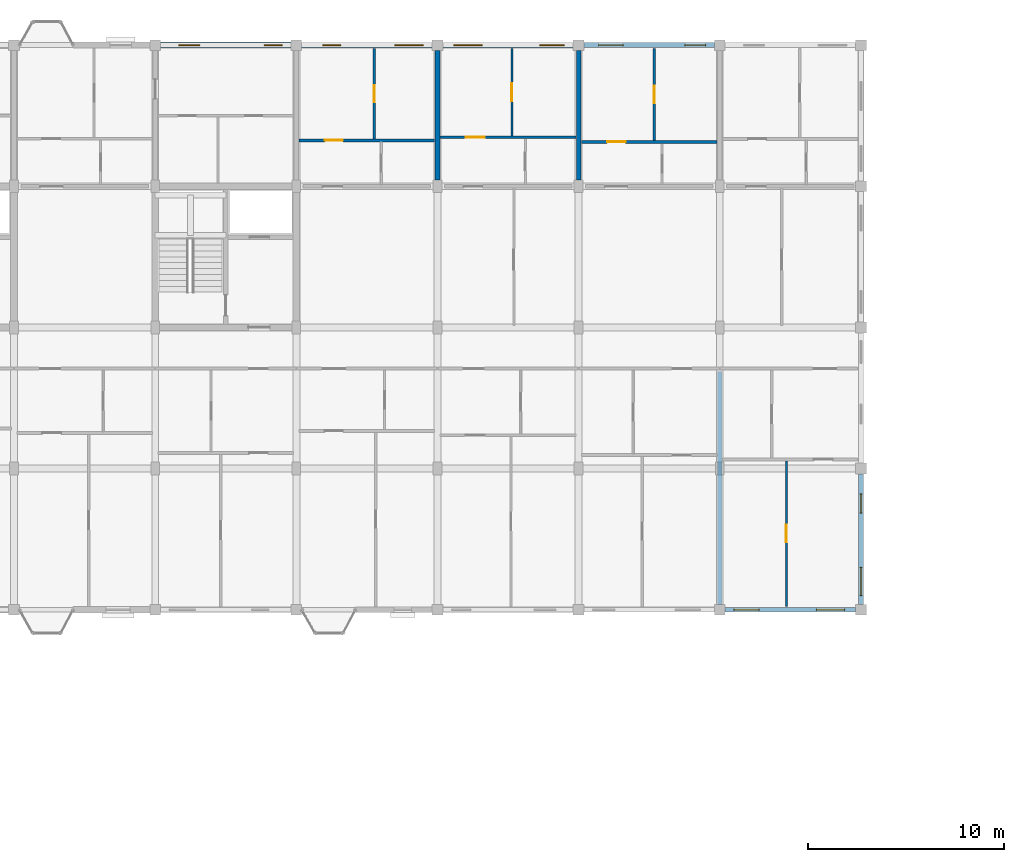
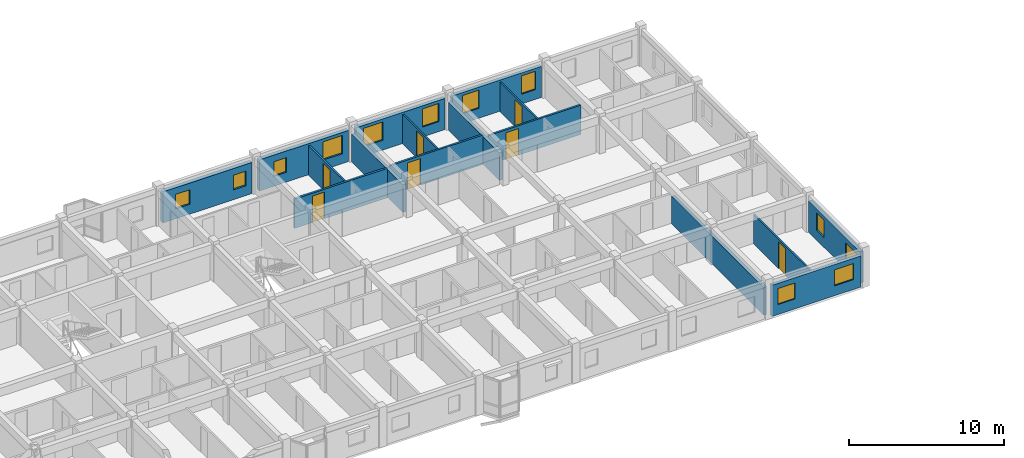
# One storey, part 70 of 77: 16 walls, 12 windows, 7 doors, 19 openings.
"""IFC4 building model written with IfcOpenShell, lengths in metres."""

from ifc_helpers import new_model, si_unit, direction, frame, frame_2d, origin, place, context, subcontext, project, spatial, rectangle, extrude, material, layer, layer_set, type_object, element, fill, save


model = new_model("IFC4")

# Units and contexts
model_context = context("Model", 3, precision=1e-05, world=origin(), true_north=direction((0.0, 1.0)))
body_context = subcontext(model_context, "Body", "Model", "MODEL_VIEW")
ifc_project = project(units=[si_unit("LENGTHUNIT", "METRE"), si_unit("AREAUNIT", "SQUARE_METRE"), si_unit("VOLUMEUNIT", "CUBIC_METRE"), si_unit("PLANEANGLEUNIT", "RADIAN"), si_unit("MASSUNIT", "GRAM", prefix="KILO"), si_unit("THERMODYNAMICTEMPERATUREUNIT", "KELVIN"), si_unit("POWERUNIT", "WATT")], contexts=[model_context])

# Site, building, storey
site_placement = place(None, origin())
site = spatial("IfcSite", under=ifc_project, at=site_placement, CompositionType="ELEMENT")
building_placement = place(site_placement, origin())
building = spatial("IfcBuilding", under=site, at=building_placement, Name="Tavuni Mirador Residences", CompositionType="ELEMENT")
storey_placement = place(building_placement, frame((0.0, 0.0, 17.10009765625)))
storey = spatial("IfcBuildingStorey", under=building, at=storey_placement, Name="L05", CompositionType="ELEMENT", Elevation=17.10009765625)

# Wall, openings, windows
ifc_material_1 = material(Name="Sgraffito lime-rendered precast concrete C40/50", Category="concrete")
ifc_layer_1 = layer(ifc_material_1, 0.2451171875, Name="Sgraffito lime-rendered precast concrete C40/50", Category="concrete")
ifc_layer_set_1 = layer_set([ifc_layer_1], Name="Sgraffito lime-rendered precast concrete C40/50")
wall_type_1 = type_object("IfcWallType", Name="WT-EXT-PC245", PredefinedType="SOLIDWALL", material=ifc_layer_set_1)
wall_1_placement = place(storey_placement, frame((68.675048828125, 144.0, 0.0), z_axis=(0.0, 0.0, 1.0), x_axis=(1.0, 0.0, 0.0)))
wall_1 = element("IfcWall", 1, at=wall_1_placement, inside=storey, type_object=wall_type_1, Name="EW-BLK-C-L05-S08", PredefinedType="SOLIDWALL", context=body_context, shape_type="SweptSolid", body=[
    extrude(rectangle(XDim=6.64990234375, YDim=0.2451171875, at=frame_2d((3.324951171875, 0.0))), origin(), (0.0, 0.0, 1.0), 2.454833984375),
])
opening_1_placement = place(wall_1_placement, frame((0.449951171875, 0.0, 0.780029296875)))
opening_1 = element("IfcOpeningElement", 2, at=opening_1_placement, cuts=wall_1, Name="Opening WN-14", PredefinedType="OPENING", context=body_context, shape_type="SweptSolid", body=[
    extrude(rectangle(XDim=1.280029296875, YDim=1.260009765625, at=frame_2d((0.64013671875, 0.6298828125))), frame((0.0, 0.132568359375, 0.0), z_axis=(0.0, -1.0, 0.0), x_axis=(1.0, 0.0, 0.0)), (0.0, 0.0, 1.0), 0.26513671875),
])
opening_2_placement = place(wall_1_placement, frame((4.64990234375, 0.0, 0.780029296875)))
opening_2 = element("IfcOpeningElement", 3, at=opening_2_placement, cuts=wall_1, Name="Opening WN-16", PredefinedType="OPENING", context=body_context, shape_type="SweptSolid", body=[
    extrude(rectangle(XDim=1.43994140625, YDim=1.260009765625, at=frame_2d((0.719970703125, 0.6298828125))), frame((0.0, 0.132568359375, 0.0), z_axis=(0.0, -1.0, 0.0), x_axis=(1.0, 0.0, 0.0)), (0.0, 0.0, 1.0), 0.26513671875),
])
ifc_material_2 = material(Name="Laminated solar-control glass", Category="glass")
window_type_1 = type_object("IfcWindowType", Name="WNT-14", PartitioningType="SINGLE_PANEL", PredefinedType="WINDOW", material=ifc_material_2)
window_1_placement = place(opening_1_placement, origin())
window_1 = element("IfcWindow", 4, at=window_1_placement, inside=storey, type_object=window_type_1, Name="WIN-1058", OverallHeight=1.260009765625, OverallWidth=1.280029296875, PartitioningType="SINGLE_PANEL", PredefinedType="WINDOW", context=body_context, shape_type="SweptSolid", body=[
    extrude(rectangle(XDim=1.280029296875, YDim=1.260009765625, at=frame_2d((0.64013671875, 0.6298828125))), frame((0.0, 0.030029296875, 0.0), z_axis=(0.0, -1.0, 0.0), x_axis=(1.0, 0.0, 0.0)), (0.0, 0.0, 1.0), 0.06005859375),
])
fill(opening_1, window_1)
window_type_2 = type_object("IfcWindowType", Name="WNT-16", PartitioningType="SINGLE_PANEL", PredefinedType="WINDOW", material=ifc_material_2)
window_2_placement = place(opening_2_placement, origin())
window_2 = element("IfcWindow", 5, at=window_2_placement, inside=storey, type_object=window_type_2, Name="WIN-1059", OverallHeight=1.260009765625, OverallWidth=1.43994140625, PartitioningType="SINGLE_PANEL", PredefinedType="WINDOW", context=body_context, shape_type="SweptSolid", body=[
    extrude(rectangle(XDim=1.43994140625, YDim=1.260009765625, at=frame_2d((0.719970703125, 0.6298828125))), frame((0.0, 0.030029296875, 0.0), z_axis=(0.0, -1.0, 0.0), x_axis=(1.0, 0.0, 0.0)), (0.0, 0.0, 1.0), 0.06005859375),
])
fill(opening_2, window_2)

ifc_layer_2 = layer(ifc_material_1, 0.2548828125, Name="Sgraffito lime-rendered precast concrete C40/50", Category="concrete")
ifc_layer_set_2 = layer_set([ifc_layer_2], Name="Sgraffito lime-rendered precast concrete C40/50")
wall_type_2 = type_object("IfcWallType", Name="WT-EXT-PC255", PredefinedType="SOLIDWALL", material=ifc_layer_set_2)
wall_2_placement = place(storey_placement, frame((75.60009765625, 144.27490234375, 0.0), z_axis=(0.0, 0.0, 1.0), x_axis=(0.0, 1.0, 0.0)))
wall_2 = element("IfcWall", 6, at=wall_2_placement, inside=storey, type_object=wall_type_2, Name="EW-BLK-C-L05-E00", PredefinedType="SOLIDWALL", context=body_context, shape_type="SweptSolid", body=[
    extrude(rectangle(XDim=6.650146484375, YDim=0.2548828125, at=frame_2d((3.3251953125, 0.0))), origin(), (0.0, 0.0, 1.0), 2.454833984375),
])
opening_3_placement = place(wall_2_placement, frame((0.449951171875, 0.0, 0.780029296875)))
opening_3 = element("IfcOpeningElement", 7, at=opening_3_placement, cuts=wall_2, Name="Opening WN-16", PredefinedType="OPENING", context=body_context, shape_type="SweptSolid", body=[
    extrude(rectangle(XDim=1.43994140625, YDim=1.260009765625, at=frame_2d((0.719970703125, 0.6298828125))), frame((0.0, 0.137451171875, 0.0), z_axis=(0.0, -1.0, 0.0), x_axis=(1.0, 0.0, 0.0)), (0.0, 0.0, 1.0), 0.27490234375),
])
opening_4_placement = place(wall_2_placement, frame((4.64990234375, 0.0, 0.780029296875)))
opening_4 = element("IfcOpeningElement", 8, at=opening_4_placement, cuts=wall_2, Name="Opening WN-18", PredefinedType="OPENING", context=body_context, shape_type="SweptSolid", body=[
    extrude(rectangle(XDim=0.97998046875, YDim=1.360107421875, at=frame_2d((0.489990234375, 0.68017578125))), frame((0.0, 0.137451171875, 0.0), z_axis=(0.0, -1.0, 0.0), x_axis=(1.0, 0.0, 0.0)), (0.0, 0.0, 1.0), 0.27490234375),
])
window_3_placement = place(opening_3_placement, origin())
window_3 = element("IfcWindow", 9, at=window_3_placement, inside=storey, type_object=window_type_2, Name="WIN-1060", OverallHeight=1.260009765625, OverallWidth=1.43994140625, PartitioningType="SINGLE_PANEL", PredefinedType="WINDOW", context=body_context, shape_type="SweptSolid", body=[
    extrude(rectangle(XDim=1.43994140625, YDim=1.260009765625, at=frame_2d((0.719970703125, 0.6298828125))), frame((0.0, 0.030029296875, 0.0), z_axis=(0.0, -1.0, 0.0), x_axis=(1.0, 0.0, 0.0)), (0.0, 0.0, 1.0), 0.06005859375),
])
fill(opening_3, window_3)
window_type_3 = type_object("IfcWindowType", Name="WNT-18", PartitioningType="SINGLE_PANEL", PredefinedType="WINDOW", material=ifc_material_2)
window_4_placement = place(opening_4_placement, origin())
window_4 = element("IfcWindow", 10, at=window_4_placement, inside=storey, type_object=window_type_3, Name="WIN-1061", OverallHeight=1.360107421875, OverallWidth=0.97998046875, PartitioningType="SINGLE_PANEL", PredefinedType="WINDOW", context=body_context, shape_type="SweptSolid", body=[
    extrude(rectangle(XDim=0.97998046875, YDim=1.360107421875, at=frame_2d((0.489990234375, 0.68017578125))), frame((0.0, 0.030029296875, 0.0), z_axis=(0.0, -1.0, 0.0), x_axis=(1.0, 0.0, 0.0)), (0.0, 0.0, 1.0), 0.06005859375),
])
fill(opening_4, window_4)

wall_3_placement = place(storey_placement, frame((68.125, 172.800048828125, 0.0), z_axis=(0.0, 0.0, 1.0), x_axis=(-1.0, 0.0, 0.0)))
wall_3 = element("IfcWall", 11, at=wall_3_placement, inside=storey, type_object=wall_type_2, Name="EW-BLK-C-L05-N07", PredefinedType="SOLIDWALL", context=body_context, shape_type="SweptSolid", body=[
    extrude(rectangle(XDim=6.64990234375, YDim=0.2548828125, at=frame_2d((3.324951171875, 0.0))), origin(), (0.0, 0.0, 1.0), 2.454833984375),
])
opening_5_placement = place(wall_3_placement, frame((0.449951171875, 0.0, 0.780029296875)))
opening_5 = element("IfcOpeningElement", 12, at=opening_5_placement, cuts=wall_3, Name="Opening WN-26", PredefinedType="OPENING", context=body_context, shape_type="SweptSolid", body=[
    extrude(rectangle(XDim=1.050048828125, YDim=1.43994140625, at=frame_2d((0.52490234375, 0.719970703125))), frame((0.0, 0.137451171875, 0.0), z_axis=(0.0, -1.0, 0.0), x_axis=(1.0, 0.0, 0.0)), (0.0, 0.0, 1.0), 0.27490234375),
])
opening_6_placement = place(wall_3_placement, frame((4.64990234375, 0.0, 0.780029296875)))
opening_6 = element("IfcOpeningElement", 13, at=opening_6_placement, cuts=wall_3, Name="Opening WN-28", PredefinedType="OPENING", context=body_context, shape_type="SweptSolid", body=[
    extrude(rectangle(XDim=1.25, YDim=1.43994140625, at=frame_2d((0.625, 0.719970703125))), frame((0.0, 0.137451171875, 0.0), z_axis=(0.0, -1.0, 0.0), x_axis=(1.0, 0.0, 0.0)), (0.0, 0.0, 1.0), 0.27490234375),
])
window_type_4 = type_object("IfcWindowType", Name="WNT-26", PartitioningType="SINGLE_PANEL", PredefinedType="WINDOW", material=ifc_material_2)
window_5_placement = place(opening_5_placement, origin())
window_5 = element("IfcWindow", 14, at=window_5_placement, inside=storey, type_object=window_type_4, Name="WIN-1070", OverallHeight=1.43994140625, OverallWidth=1.050048828125, PartitioningType="SINGLE_PANEL", PredefinedType="WINDOW", context=body_context, shape_type="SweptSolid", body=[
    extrude(rectangle(XDim=1.050048828125, YDim=1.43994140625, at=frame_2d((0.52490234375, 0.719970703125))), frame((0.0, 0.030029296875, 0.0), z_axis=(0.0, -1.0, 0.0), x_axis=(1.0, 0.0, 0.0)), (0.0, 0.0, 1.0), 0.06005859375),
])
fill(opening_5, window_5)
window_type_5 = type_object("IfcWindowType", Name="WNT-28", PartitioningType="SINGLE_PANEL", PredefinedType="WINDOW", material=ifc_material_2)
window_6_placement = place(opening_6_placement, origin())
window_6 = element("IfcWindow", 15, at=window_6_placement, inside=storey, type_object=window_type_5, Name="WIN-1071", OverallHeight=1.43994140625, OverallWidth=1.25, PartitioningType="SINGLE_PANEL", PredefinedType="WINDOW", context=body_context, shape_type="SweptSolid", body=[
    extrude(rectangle(XDim=1.25, YDim=1.43994140625, at=frame_2d((0.625, 0.719970703125))), frame((0.0, 0.030029296875, 0.0), z_axis=(0.0, -1.0, 0.0), x_axis=(1.0, 0.0, 0.0)), (0.0, 0.0, 1.0), 0.06005859375),
])
fill(opening_6, window_6)

ifc_layer_3 = layer(ifc_material_1, 0.27490234375, Name="Sgraffito lime-rendered precast concrete C40/50", Category="concrete")
ifc_layer_set_3 = layer_set([ifc_layer_3], Name="Sgraffito lime-rendered precast concrete C40/50")
wall_type_3 = type_object("IfcWallType", Name="WT-EXT-PC275", PredefinedType="SOLIDWALL", material=ifc_layer_set_3)
wall_4_placement = place(storey_placement, frame((60.925048828125, 172.800048828125, 0.0), z_axis=(0.0, 0.0, 1.0), x_axis=(-1.0, 0.0, 0.0)))
wall_4 = element("IfcWall", 16, at=wall_4_placement, inside=storey, type_object=wall_type_3, Name="EW-BLK-C-L05-N06", PredefinedType="SOLIDWALL", context=body_context, shape_type="SweptSolid", body=[
    extrude(rectangle(XDim=6.650146484375, YDim=0.27490234375, at=frame_2d((3.3251953125, 0.0))), origin(), (0.0, 0.0, 1.0), 2.454833984375),
])
opening_7_placement = place(wall_4_placement, frame((0.449951171875, 0.0, 0.780029296875)))
opening_7 = element("IfcOpeningElement", 17, at=opening_7_placement, cuts=wall_4, Name="Opening WN-28", PredefinedType="OPENING", context=body_context, shape_type="SweptSolid", body=[
    extrude(rectangle(XDim=1.25, YDim=1.43994140625, at=frame_2d((0.625, 0.719970703125))), frame((0.0, 0.1474609375, 0.0), z_axis=(0.0, -1.0, 0.0), x_axis=(1.0, 0.0, 0.0)), (0.0, 0.0, 1.0), 0.294921875),
])
opening_8_placement = place(wall_4_placement, frame((4.64990234375, 0.0, 0.780029296875)))
opening_8 = element("IfcOpeningElement", 18, at=opening_8_placement, cuts=wall_4, Name="Opening WN-30", PredefinedType="OPENING", context=body_context, shape_type="SweptSolid", body=[
    extrude(rectangle(XDim=1.449951171875, YDim=1.43994140625, at=frame_2d((0.72509765625, 0.719970703125))), frame((0.0, 0.1474609375, 0.0), z_axis=(0.0, -1.0, 0.0), x_axis=(1.0, 0.0, 0.0)), (0.0, 0.0, 1.0), 0.294921875),
])
window_7_placement = place(opening_7_placement, origin())
window_7 = element("IfcWindow", 19, at=window_7_placement, inside=storey, type_object=window_type_5, Name="WIN-1072", OverallHeight=1.43994140625, OverallWidth=1.25, PartitioningType="SINGLE_PANEL", PredefinedType="WINDOW", context=body_context, shape_type="SweptSolid", body=[
    extrude(rectangle(XDim=1.25, YDim=1.43994140625, at=frame_2d((0.625, 0.719970703125))), frame((0.0, 0.030029296875, 0.0), z_axis=(0.0, -1.0, 0.0), x_axis=(1.0, 0.0, 0.0)), (0.0, 0.0, 1.0), 0.06005859375),
])
fill(opening_7, window_7)
window_type_6 = type_object("IfcWindowType", Name="WNT-30", PartitioningType="SINGLE_PANEL", PredefinedType="WINDOW", material=ifc_material_2)
window_8_placement = place(opening_8_placement, origin())
window_8 = element("IfcWindow", 20, at=window_8_placement, inside=storey, type_object=window_type_6, Name="WIN-1073", OverallHeight=1.43994140625, OverallWidth=1.449951171875, PartitioningType="SINGLE_PANEL", PredefinedType="WINDOW", context=body_context, shape_type="SweptSolid", body=[
    extrude(rectangle(XDim=1.449951171875, YDim=1.43994140625, at=frame_2d((0.72509765625, 0.719970703125))), frame((0.0, 0.030029296875, 0.0), z_axis=(0.0, -1.0, 0.0), x_axis=(1.0, 0.0, 0.0)), (0.0, 0.0, 1.0), 0.06005859375),
])
fill(opening_8, window_8)

ifc_layer_4 = layer(ifc_material_1, 0.2900390625, Name="Sgraffito lime-rendered precast concrete C40/50", Category="concrete")
ifc_layer_set_4 = layer_set([ifc_layer_4], Name="Sgraffito lime-rendered precast concrete C40/50")
wall_type_4 = type_object("IfcWallType", Name="WT-EXT-PC290", PredefinedType="SOLIDWALL", material=ifc_layer_set_4)
wall_5_placement = place(storey_placement, frame((53.72509765625, 172.800048828125, 0.0), z_axis=(0.0, 0.0, 1.0), x_axis=(-1.0, 0.0, 0.0)))
wall_5 = element("IfcWall", 21, at=wall_5_placement, inside=storey, type_object=wall_type_4, Name="EW-BLK-C-L05-N05", PredefinedType="SOLIDWALL", context=body_context, shape_type="SweptSolid", body=[
    extrude(rectangle(XDim=6.650146484375, YDim=0.2900390625, at=frame_2d((3.3251953125, 0.0))), origin(), (0.0, 0.0, 1.0), 2.454833984375),
])
opening_9_placement = place(wall_5_placement, frame((0.449951171875, 0.0, 0.780029296875)))
opening_9 = element("IfcOpeningElement", 22, at=opening_9_placement, cuts=wall_5, Name="Opening WN-30", PredefinedType="OPENING", context=body_context, shape_type="SweptSolid", body=[
    extrude(rectangle(XDim=1.449951171875, YDim=1.43994140625, at=frame_2d((0.72509765625, 0.719970703125))), frame((0.0, 0.155029296875, 0.0), z_axis=(0.0, -1.0, 0.0), x_axis=(1.0, 0.0, 0.0)), (0.0, 0.0, 1.0), 0.31005859375),
])
opening_10_placement = place(wall_5_placement, frame((4.64990234375, 0.0, 0.780029296875)))
opening_10 = element("IfcOpeningElement", 23, at=opening_10_placement, cuts=wall_5, Name="Opening WN-02", PredefinedType="OPENING", context=body_context, shape_type="SweptSolid", body=[
    extrude(rectangle(XDim=0.919921875, YDim=1.14990234375, at=frame_2d((0.4599609375, 0.574951171875))), frame((0.0, 0.155029296875, 0.0), z_axis=(0.0, -1.0, 0.0), x_axis=(1.0, 0.0, 0.0)), (0.0, 0.0, 1.0), 0.31005859375),
])
window_type_7 = type_object("IfcWindowType", Name="WNT-02", PartitioningType="SINGLE_PANEL", PredefinedType="WINDOW", material=ifc_material_2)
window_9_placement = place(opening_10_placement, origin())
window_9 = element("IfcWindow", 24, at=window_9_placement, inside=storey, type_object=window_type_7, Name="WIN-1075", OverallHeight=1.14990234375, OverallWidth=0.919921875, PartitioningType="SINGLE_PANEL", PredefinedType="WINDOW", context=body_context, shape_type="SweptSolid", body=[
    extrude(rectangle(XDim=0.919921875, YDim=1.14990234375, at=frame_2d((0.4599609375, 0.574951171875))), frame((0.0, 0.030029296875, 0.0), z_axis=(0.0, -1.0, 0.0), x_axis=(1.0, 0.0, 0.0)), (0.0, 0.0, 1.0), 0.06005859375),
])
fill(opening_10, window_9)
window_10_placement = place(opening_9_placement, origin())
window_10 = element("IfcWindow", 25, at=window_10_placement, inside=storey, type_object=window_type_6, Name="WIN-1074", OverallHeight=1.43994140625, OverallWidth=1.449951171875, PartitioningType="SINGLE_PANEL", PredefinedType="WINDOW", context=body_context, shape_type="SweptSolid", body=[
    extrude(rectangle(XDim=1.449951171875, YDim=1.43994140625, at=frame_2d((0.72509765625, 0.719970703125))), frame((0.0, 0.030029296875, 0.0), z_axis=(0.0, -1.0, 0.0), x_axis=(1.0, 0.0, 0.0)), (0.0, 0.0, 1.0), 0.06005859375),
])
fill(opening_9, window_10)

ifc_layer_5 = layer(ifc_material_1, 0.304931640625, Name="Sgraffito lime-rendered precast concrete C40/50", Category="concrete")
ifc_layer_set_5 = layer_set([ifc_layer_5], Name="Sgraffito lime-rendered precast concrete C40/50")
wall_type_5 = type_object("IfcWallType", Name="WT-EXT-PC305", PredefinedType="SOLIDWALL", material=ifc_layer_set_5)
wall_6_placement = place(storey_placement, frame((46.52490234375, 172.800048828125, 0.0), z_axis=(0.0, 0.0, 1.0), x_axis=(-1.0, 0.0, 0.0)))
wall_6 = element("IfcWall", 26, at=wall_6_placement, inside=storey, type_object=wall_type_5, Name="EW-BLK-C-L05-N04", PredefinedType="SOLIDWALL", context=body_context, shape_type="SweptSolid", body=[
    extrude(rectangle(XDim=6.64990234375, YDim=0.304931640625, at=frame_2d((3.324951171875, 0.0))), origin(), (0.0, 0.0, 1.0), 2.454833984375),
])
opening_11_placement = place(wall_6_placement, frame((0.449951171875, 0.0, 0.780029296875)))
opening_11 = element("IfcOpeningElement", 27, at=opening_11_placement, cuts=wall_6, Name="Opening WN-02", PredefinedType="OPENING", context=body_context, shape_type="SweptSolid", body=[
    extrude(rectangle(XDim=0.919921875, YDim=1.14990234375, at=frame_2d((0.4599609375, 0.574951171875))), frame((0.0, 0.16259765625, 0.0), z_axis=(0.0, -1.0, 0.0), x_axis=(1.0, 0.0, 0.0)), (0.0, 0.0, 1.0), 0.324951171875),
])
opening_12_placement = place(wall_6_placement, frame((4.64990234375, 0.0, 0.780029296875)))
opening_12 = element("IfcOpeningElement", 28, at=opening_12_placement, cuts=wall_6, Name="Opening WN-04", PredefinedType="OPENING", context=body_context, shape_type="SweptSolid", body=[
    extrude(rectangle(XDim=1.080078125, YDim=1.14990234375, at=frame_2d((0.5400390625, 0.574951171875))), frame((0.0, 0.16259765625, 0.0), z_axis=(0.0, -1.0, 0.0), x_axis=(1.0, 0.0, 0.0)), (0.0, 0.0, 1.0), 0.324951171875),
])
window_11_placement = place(opening_11_placement, origin())
window_11 = element("IfcWindow", 29, at=window_11_placement, inside=storey, type_object=window_type_7, Name="WIN-1076", OverallHeight=1.14990234375, OverallWidth=0.919921875, PartitioningType="SINGLE_PANEL", PredefinedType="WINDOW", context=body_context, shape_type="SweptSolid", body=[
    extrude(rectangle(XDim=0.919921875, YDim=1.14990234375, at=frame_2d((0.4599609375, 0.574951171875))), frame((0.0, 0.030029296875, 0.0), z_axis=(0.0, -1.0, 0.0), x_axis=(1.0, 0.0, 0.0)), (0.0, 0.0, 1.0), 0.06005859375),
])
fill(opening_11, window_11)
window_type_8 = type_object("IfcWindowType", Name="WNT-04", PartitioningType="SINGLE_PANEL", PredefinedType="WINDOW", material=ifc_material_2)
window_12_placement = place(opening_12_placement, origin())
window_12 = element("IfcWindow", 30, at=window_12_placement, inside=storey, type_object=window_type_8, Name="WIN-1077", OverallHeight=1.14990234375, OverallWidth=1.080078125, PartitioningType="SINGLE_PANEL", PredefinedType="WINDOW", context=body_context, shape_type="SweptSolid", body=[
    extrude(rectangle(XDim=1.080078125, YDim=1.14990234375, at=frame_2d((0.5400390625, 0.574951171875))), frame((0.0, 0.030029296875, 0.0), z_axis=(0.0, -1.0, 0.0), x_axis=(1.0, 0.0, 0.0)), (0.0, 0.0, 1.0), 0.06005859375),
])
fill(opening_12, window_12)

# Wall, opening, door
ifc_material_3 = material(Name="Acoustic gypsum and concrete block partition", Category="concrete")
ifc_layer_6 = layer(ifc_material_3, 0.114990234375, Name="Acoustic gypsum and concrete block partition", Category="concrete")
ifc_layer_set_6 = layer_set([ifc_layer_6], Name="Acoustic gypsum and concrete block partition")
wall_type_6 = type_object("IfcWallType", Name="WT-PART115", PredefinedType="PARTITIONING", material=ifc_layer_set_6)
wall_7_placement = place(storey_placement, frame((57.800048828125, 168.169921875, 0.0), z_axis=(0.0, 0.0, 1.0), x_axis=(0.0, 1.0, 0.0)))
wall_7 = element("IfcWall", 31, at=wall_7_placement, inside=storey, type_object=wall_type_6, Name="PW-BLK-C-L05-N06-OUT", PredefinedType="PARTITIONING", context=body_context, shape_type="SweptSolid", body=[
    extrude(rectangle(XDim=4.455078125, YDim=0.114990234375, at=frame_2d((2.2275390625, 0.0))), origin(), (0.0, 0.0, 1.0), 2.31982421875),
])
opening_13_placement = place(wall_7_placement, frame((1.777587890625, 0.0, 0.0)))
opening_13 = element("IfcOpeningElement", 32, at=opening_13_placement, cuts=wall_7, Name="Opening D-07", PredefinedType="OPENING", context=body_context, shape_type="SweptSolid", body=[
    extrude(rectangle(XDim=0.89990234375, YDim=2.10009765625, at=frame_2d((0.449951171875, 1.050048828125))), frame((0.0, 0.0673828125, 0.0), z_axis=(0.0, -1.0, 0.0), x_axis=(1.0, 0.0, 0.0)), (0.0, 0.0, 1.0), 0.135009765625),
])
ifc_material_4 = material(Name="Solid core iroko timber", Category="wood")
door_type_1 = type_object("IfcDoorType", Name="DT-BED900", OperationType="NOTDEFINED", PredefinedType="DOOR", material=ifc_material_4)
door_1_placement = place(opening_13_placement, origin())
door_1 = element("IfcDoor", 33, at=door_1_placement, inside=storey, type_object=door_type_1, Name="DR-3945", OperationType="SINGLE_SWING_RIGHT", OverallHeight=2.10009765625, OverallWidth=0.89990234375, PredefinedType="DOOR", context=body_context, shape_type="SweptSolid", body=[
    extrude(rectangle(XDim=0.89990234375, YDim=2.10009765625, at=frame_2d((0.449951171875, 1.050048828125))), frame((0.0, 0.02490234375, 0.0), z_axis=(0.0, -1.0, 0.0), x_axis=(1.0, 0.0, 0.0)), (0.0, 0.0, 1.0), 0.050048828125),
])
fill(opening_13, door_1)

wall_8_placement = place(storey_placement, frame((65.06005859375, 167.929931640625, 0.0), z_axis=(0.0, 0.0, 1.0), x_axis=(0.0, 1.0, 0.0)))
wall_8 = element("IfcWall", 34, at=wall_8_placement, inside=storey, type_object=wall_type_6, Name="PW-BLK-C-L05-N07-OUT", PredefinedType="PARTITIONING", context=body_context, shape_type="SweptSolid", body=[
    extrude(rectangle(XDim=4.695068359375, YDim=0.114990234375, at=frame_2d((2.34765625, 0.0))), origin(), (0.0, 0.0, 1.0), 2.31982421875),
])
opening_14_placement = place(wall_8_placement, frame((1.8974609375, 0.0, 0.0)))
opening_14 = element("IfcOpeningElement", 35, at=opening_14_placement, cuts=wall_8, Name="Opening D-07", PredefinedType="OPENING", context=body_context, shape_type="SweptSolid", body=[
    extrude(rectangle(XDim=0.89990234375, YDim=2.10009765625, at=frame_2d((0.449951171875, 1.050048828125))), frame((0.0, 0.0673828125, 0.0), z_axis=(0.0, -1.0, 0.0), x_axis=(1.0, 0.0, 0.0)), (0.0, 0.0, 1.0), 0.135009765625),
])
door_2_placement = place(opening_14_placement, origin())
door_2 = element("IfcDoor", 36, at=door_2_placement, inside=storey, type_object=door_type_1, Name="DR-3951", OperationType="SINGLE_SWING_RIGHT", OverallHeight=2.10009765625, OverallWidth=0.89990234375, PredefinedType="DOOR", context=body_context, shape_type="SweptSolid", body=[
    extrude(rectangle(XDim=0.89990234375, YDim=2.10009765625, at=frame_2d((0.449951171875, 1.050048828125))), frame((0.0, 0.02490234375, 0.0), z_axis=(0.0, -1.0, 0.0), x_axis=(1.0, 0.0, 0.0)), (0.0, 0.0, 1.0), 0.050048828125),
])
fill(opening_14, door_2)

wall_9_placement = place(storey_placement, frame((71.800048828125, 144.175048828125, 0.0), z_axis=(0.0, 0.0, 1.0), x_axis=(0.0, 1.0, 0.0)))
wall_9 = element("IfcWall", 37, at=wall_9_placement, inside=storey, type_object=wall_type_6, Name="PW-BLK-C-L05-S08-OUT", PredefinedType="PARTITIONING", context=body_context, shape_type="SweptSolid", body=[
    extrude(rectangle(XDim=7.425048828125, YDim=0.114990234375, at=frame_2d((3.71240234375, 0.0))), origin(), (0.0, 0.0, 1.0), 2.31982421875),
])
opening_15_placement = place(wall_9_placement, frame((3.262451171875, 0.0, 0.0)))
opening_15 = element("IfcOpeningElement", 38, at=opening_15_placement, cuts=wall_9, Name="Opening D-07", PredefinedType="OPENING", context=body_context, shape_type="SweptSolid", body=[
    extrude(rectangle(XDim=0.89990234375, YDim=2.10009765625, at=frame_2d((0.449951171875, 1.050048828125))), frame((0.0, 0.0673828125, 0.0), z_axis=(0.0, -1.0, 0.0), x_axis=(1.0, 0.0, 0.0)), (0.0, 0.0, 1.0), 0.135009765625),
])
door_3_placement = place(opening_15_placement, origin())
door_3 = element("IfcDoor", 39, at=door_3_placement, inside=storey, type_object=door_type_1, Name="DR-3955", OperationType="SINGLE_SWING_RIGHT", OverallHeight=2.10009765625, OverallWidth=0.89990234375, PredefinedType="DOOR", context=body_context, shape_type="SweptSolid", body=[
    extrude(rectangle(XDim=0.89990234375, YDim=2.10009765625, at=frame_2d((0.449951171875, 1.050048828125))), frame((0.0, 0.02490234375, 0.0), z_axis=(0.0, -1.0, 0.0), x_axis=(1.0, 0.0, 0.0)), (0.0, 0.0, 1.0), 0.050048828125),
])
fill(opening_15, door_3)

ifc_layer_7 = layer(ifc_material_3, 0.125, Name="Acoustic gypsum and concrete block partition", Category="concrete")
ifc_layer_set_7 = layer_set([ifc_layer_7], Name="Acoustic gypsum and concrete block partition")
wall_type_7 = type_object("IfcWallType", Name="WT-PART125", PredefinedType="PARTITIONING", material=ifc_layer_set_7)
wall_10_placement = place(storey_placement, frame((50.780029296875, 168.010009765625, 0.0), z_axis=(0.0, 0.0, 1.0), x_axis=(0.0, 1.0, 0.0)))
wall_10 = element("IfcWall", 40, at=wall_10_placement, inside=storey, type_object=wall_type_7, Name="PW-BLK-C-L05-N05-OUT", PredefinedType="PARTITIONING", context=body_context, shape_type="SweptSolid", body=[
    extrude(rectangle(XDim=4.614990234375, YDim=0.125, at=frame_2d((2.3076171875, 0.0))), origin(), (0.0, 0.0, 1.0), 2.31982421875),
])
opening_16_placement = place(wall_10_placement, frame((1.867431640625, 0.0, 0.0)))
opening_16 = element("IfcOpeningElement", 41, at=opening_16_placement, cuts=wall_10, Name="Opening D-08", PredefinedType="OPENING", context=body_context, shape_type="SweptSolid", body=[
    extrude(rectangle(XDim=0.8798828125, YDim=2.080078125, at=frame_2d((0.43994140625, 1.0400390625))), frame((0.0, 0.072509765625, 0.0), z_axis=(0.0, -1.0, 0.0), x_axis=(1.0, 0.0, 0.0)), (0.0, 0.0, 1.0), 0.14501953125),
])
door_type_2 = type_object("IfcDoorType", Name="DT-BED880", OperationType="NOTDEFINED", PredefinedType="DOOR", material=ifc_material_4)
door_4_placement = place(opening_16_placement, origin())
door_4 = element("IfcDoor", 42, at=door_4_placement, inside=storey, type_object=door_type_2, Name="DR-3938", OperationType="SINGLE_SWING_LEFT", OverallHeight=2.080078125, OverallWidth=0.8798828125, PredefinedType="DOOR", context=body_context, shape_type="SweptSolid", body=[
    extrude(rectangle(XDim=0.8798828125, YDim=2.080078125, at=frame_2d((0.43994140625, 1.0400390625))), frame((0.0, 0.02490234375, 0.0), z_axis=(0.0, -1.0, 0.0), x_axis=(1.0, 0.0, 0.0)), (0.0, 0.0, 1.0), 0.050048828125),
])
fill(opening_16, door_4)

ifc_layer_8 = layer(ifc_material_3, 0.139892578125, Name="Acoustic gypsum and concrete block partition", Category="concrete")
ifc_layer_set_8 = layer_set([ifc_layer_8], Name="Acoustic gypsum and concrete block partition")
wall_type_8 = type_object("IfcWallType", Name="WT-PART140", PredefinedType="PARTITIONING", material=ifc_layer_set_8)
wall_11_placement = place(storey_placement, frame((54.139892578125, 168.10009765625, 0.0), z_axis=(0.0, 0.0, 1.0), x_axis=(1.0, 0.0, 0.0)))
wall_11 = element("IfcWall", 43, at=wall_11_placement, inside=storey, type_object=wall_type_8, Name="PW-BLK-C-L05-N06-MID", PredefinedType="PARTITIONING", context=body_context, shape_type="SweptSolid", body=[
    extrude(rectangle(XDim=6.920166015625, YDim=0.139892578125, at=frame_2d((3.4599609375, 0.0))), origin(), (0.0, 0.0, 1.0), 2.31982421875),
])
opening_17_placement = place(wall_11_placement, frame((1.31005859375, 0.0, 0.0)))
opening_17 = element("IfcOpeningElement", 44, at=opening_17_placement, cuts=wall_11, Name="Opening D-05", PredefinedType="OPENING", context=body_context, shape_type="SweptSolid", body=[
    extrude(rectangle(XDim=0.949951171875, YDim=2.10009765625, at=frame_2d((0.47509765625, 1.050048828125))), frame((0.0, 0.080078125, 0.0), z_axis=(0.0, -1.0, 0.0), x_axis=(1.0, 0.0, 0.0)), (0.0, 0.0, 1.0), 0.159912109375),
])
door_type_3 = type_object("IfcDoorType", Name="DT-INT950", OperationType="NOTDEFINED", PredefinedType="DOOR", material=ifc_material_4)
door_5_placement = place(opening_17_placement, origin())
door_5 = element("IfcDoor", 45, at=door_5_placement, inside=storey, type_object=door_type_3, Name="DR-3947", OperationType="SINGLE_SWING_LEFT", OverallHeight=2.10009765625, OverallWidth=0.949951171875, PredefinedType="DOOR", context=body_context, shape_type="SweptSolid", body=[
    extrude(rectangle(XDim=0.949951171875, YDim=2.10009765625, at=frame_2d((0.47509765625, 1.050048828125))), frame((0.0, 0.02490234375, 0.0), z_axis=(0.0, -1.0, 0.0), x_axis=(1.0, 0.0, 0.0)), (0.0, 0.0, 1.0), 0.050048828125),
])
fill(opening_17, door_5)

wall_12_placement = place(storey_placement, frame((61.340087890625, 167.860107421875, 0.0), z_axis=(0.0, 0.0, 1.0), x_axis=(1.0, 0.0, 0.0)))
wall_12 = element("IfcWall", 46, at=wall_12_placement, inside=storey, type_object=wall_type_8, Name="PW-BLK-C-L05-N07-MID", PredefinedType="PARTITIONING", context=body_context, shape_type="SweptSolid", body=[
    extrude(rectangle(XDim=6.919921875, YDim=0.139892578125, at=frame_2d((3.4599609375, 0.0))), origin(), (0.0, 0.0, 1.0), 2.31982421875),
])
opening_18_placement = place(wall_12_placement, frame((1.31005859375, 0.0, 0.0)))
opening_18 = element("IfcOpeningElement", 47, at=opening_18_placement, cuts=wall_12, Name="Opening D-05", PredefinedType="OPENING", context=body_context, shape_type="SweptSolid", body=[
    extrude(rectangle(XDim=0.949951171875, YDim=2.10009765625, at=frame_2d((0.47509765625, 1.050048828125))), frame((0.0, 0.080078125, 0.0), z_axis=(0.0, -1.0, 0.0), x_axis=(1.0, 0.0, 0.0)), (0.0, 0.0, 1.0), 0.159912109375),
])
door_6_placement = place(opening_18_placement, origin())
door_6 = element("IfcDoor", 48, at=door_6_placement, inside=storey, type_object=door_type_3, Name="DR-3953", OperationType="SINGLE_SWING_LEFT", OverallHeight=2.10009765625, OverallWidth=0.949951171875, PredefinedType="DOOR", context=body_context, shape_type="SweptSolid", body=[
    extrude(rectangle(XDim=0.949951171875, YDim=2.10009765625, at=frame_2d((0.47509765625, 1.050048828125))), frame((0.0, 0.02490234375, 0.0), z_axis=(0.0, -1.0, 0.0), x_axis=(1.0, 0.0, 0.0)), (0.0, 0.0, 1.0), 0.050048828125),
])
fill(opening_18, door_6)

ifc_layer_9 = layer(ifc_material_3, 0.14990234375, Name="Acoustic gypsum and concrete block partition", Category="concrete")
ifc_layer_set_9 = layer_set([ifc_layer_9], Name="Acoustic gypsum and concrete block partition")
wall_type_9 = type_object("IfcWallType", Name="WT-PART150", PredefinedType="PARTITIONING", material=ifc_layer_set_9)
wall_13_placement = place(storey_placement, frame((46.93994140625, 167.93994140625, 0.0), z_axis=(0.0, 0.0, 1.0), x_axis=(1.0, 0.0, 0.0)))
wall_13 = element("IfcWall", 49, at=wall_13_placement, inside=storey, type_object=wall_type_9, Name="PW-BLK-C-L05-N05-MID", PredefinedType="PARTITIONING", context=body_context, shape_type="SweptSolid", body=[
    extrude(rectangle(XDim=6.920166015625, YDim=0.14990234375, at=frame_2d((3.4599609375, 0.0))), origin(), (0.0, 0.0, 1.0), 2.31982421875),
])
opening_19_placement = place(wall_13_placement, frame((1.31005859375, 0.0, 0.0)))
opening_19 = element("IfcOpeningElement", 50, at=opening_19_placement, cuts=wall_13, Name="Opening D-06", PredefinedType="OPENING", context=body_context, shape_type="SweptSolid", body=[
    extrude(rectangle(XDim=0.919921875, YDim=2.10009765625, at=frame_2d((0.4599609375, 1.050048828125))), frame((0.0, 0.0849609375, 0.0), z_axis=(0.0, -1.0, 0.0), x_axis=(1.0, 0.0, 0.0)), (0.0, 0.0, 1.0), 0.169921875),
])
door_type_4 = type_object("IfcDoorType", Name="DT-INT920", OperationType="NOTDEFINED", PredefinedType="DOOR", material=ifc_material_4)
door_7_placement = place(opening_19_placement, origin())
door_7 = element("IfcDoor", 51, at=door_7_placement, inside=storey, type_object=door_type_4, Name="DR-3940", OperationType="SINGLE_SWING_RIGHT", OverallHeight=2.10009765625, OverallWidth=0.919921875, PredefinedType="DOOR", context=body_context, shape_type="SweptSolid", body=[
    extrude(rectangle(XDim=0.919921875, YDim=2.10009765625, at=frame_2d((0.4599609375, 1.050048828125))), frame((0.0, 0.02490234375, 0.0), z_axis=(0.0, -1.0, 0.0), x_axis=(1.0, 0.0, 0.0)), (0.0, 0.0, 1.0), 0.050048828125),
])
fill(opening_19, door_7)

# Walls
ifc_material_5 = material(Name="Precast concrete C40/50", Category="concrete")
ifc_layer_10 = layer(ifc_material_5, 0.235107421875, Name="Precast concrete C40/50", Category="concrete")
ifc_layer_set_10 = layer_set([ifc_layer_10], Name="Precast concrete C40/50")
wall_type_10 = type_object("IfcWallType", Name="WT-XW235", PredefinedType="SOLIDWALL", material=ifc_layer_set_10)
for number, where, z_axis, x_axis, name in (
    (52, (54.0, 165.925048828125, 0.0), (0.0, 0.0, 1.0), (0.0, 1.0, 0.0), "XW-BLK-C-L05-N-06"),
    (53, (61.199951171875, 165.925048828125, 0.0), (0.0, 0.0, 1.0), (0.0, 1.0, 0.0), "XW-BLK-C-L05-N-07"),
):
    element("IfcWall", number, at=place(storey_placement, frame(where, z_axis=z_axis, x_axis=x_axis)), inside=storey, type_object=wall_type_10, Name=name, PredefinedType="SOLIDWALL", context=body_context, shape_type="SweptSolid", body=[
        extrude(rectangle(XDim=6.599853515625, YDim=0.235107421875, at=frame_2d((3.2998046875, 0.0))), origin(), (0.0, 0.0, 1.0), 2.184814453125),
    ])
wall_14_placement = place(storey_placement, frame((68.39990234375, 144.27490234375, 0.0), z_axis=(0.0, 0.0, 1.0), x_axis=(0.0, 1.0, 0.0)))
element("IfcWall", 54, at=wall_14_placement, inside=storey, type_object=wall_type_10, Name="XW-BLK-C-L05-S-08", PredefinedType="SOLIDWALL", context=body_context, shape_type="SweptSolid", body=[
    extrude(rectangle(XDim=11.875, YDim=0.235107421875, at=frame_2d((5.9375, 0.0))), origin(), (0.0, 0.0, 1.0), 2.184814453125),
])

save(model, "model.ifc")
